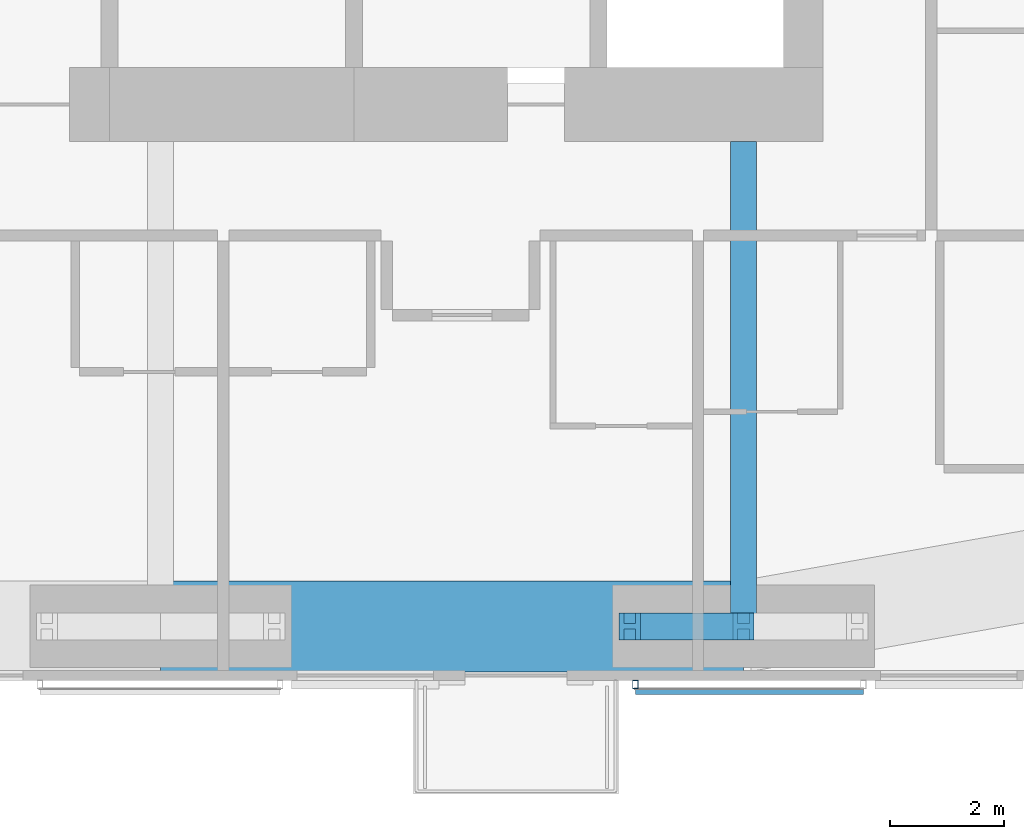
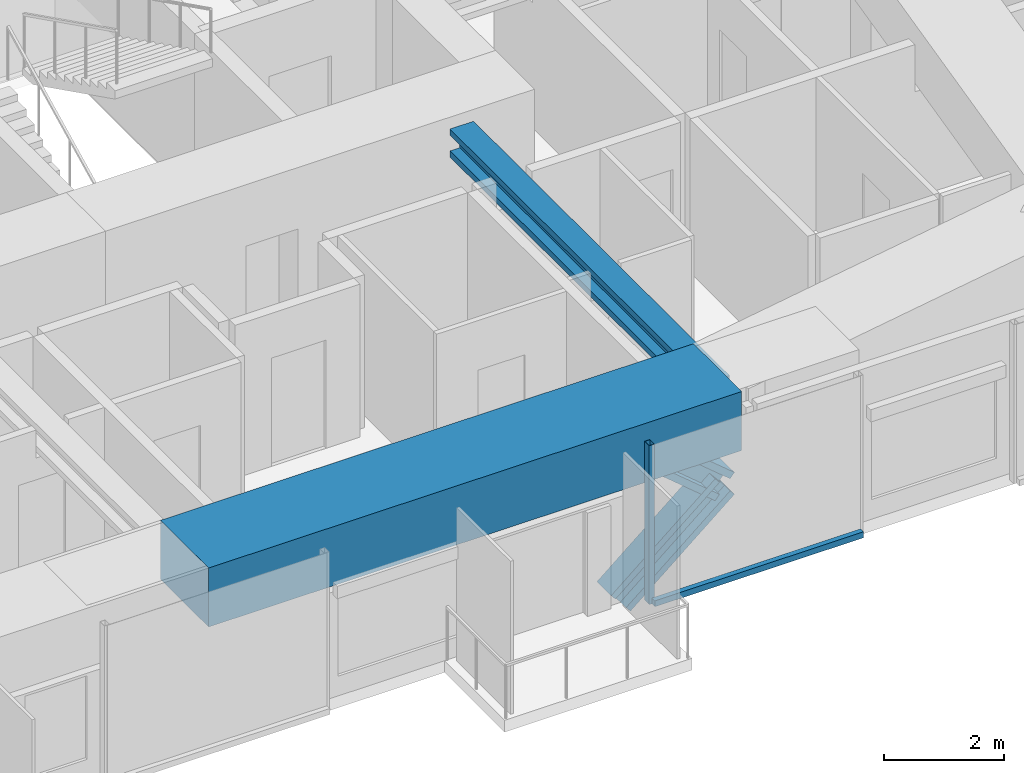
# One storey, part 4 of 23: 4 members, 2 beams, 1 element without a shape of its own.
"""IFC4 building model written with IfcOpenShell, lengths in metres."""

from ifc_helpers import new_model, si_unit, direction, frame, origin, origin_2d, place, context, subcontext, project, spatial, rectangle, hollow_rectangle, i_section, extrude, material, material_profile, profile_set, type_object, element, aggregate, save


model = new_model("IFC4")

# Units and contexts
model_context = context("Model", 3, precision=1e-05, world=origin(), true_north=direction((0.0, 1.0)))
body_context = subcontext(model_context, "Body", "Model", "MODEL_VIEW")
ifc_project = project(units=[si_unit("LENGTHUNIT", "METRE"), si_unit("AREAUNIT", "SQUARE_METRE"), si_unit("VOLUMEUNIT", "CUBIC_METRE"), si_unit("PLANEANGLEUNIT", "RADIAN"), si_unit("MASSUNIT", "GRAM", prefix="KILO")], contexts=[model_context])

# Site, building, storey
site_placement = place(None, origin())
site = spatial("IfcSite", under=ifc_project, at=site_placement, CompositionType="ELEMENT")
building_placement = place(site_placement, origin())
building = spatial("IfcBuilding", under=site, at=building_placement, Name="Jalousie Tower", CompositionType="ELEMENT")
storey_placement = place(building_placement, frame((0.0, 0.0, 164.39990234375)))
storey = spatial("IfcBuildingStorey", under=building, at=storey_placement, Name="L44", CompositionType="ELEMENT", Elevation=164.39990234375)

# Beam
ifc_material_1 = material(Name="Steel ASTM A992 Grade 50", Category="steel")
ifc_material_profile_1 = material_profile(ifc_material_1, i_section(OverallWidth=0.45458984375, OverallDepth=0.569091796875, WebThickness=0.077880859375, FlangeThickness=0.124755859375, at=origin_2d()), Name="W14X730")
ifc_profile_set_1 = profile_set([ifc_material_profile_1], Name="Steel ASTM A992 Grade 50")
beam_type_1 = type_object("IfcBeamType", Name="LEAN COLLECTOR W14X730", PredefinedType="BEAM", material=ifc_profile_set_1)
beam_1_placement = place(storey_placement, frame((42.75, 0.949951171875, 2.82568359375), z_axis=(0.0, 1.0, 0.0), x_axis=(-1.0, 0.0, 0.0)))
element("IfcBeam", 1, at=beam_1_placement, inside=storey, type_object=beam_type_1, Name="Lean collector under L45", PredefinedType="BEAM", context=body_context, shape_type="SweptSolid", body=[
    extrude(i_section(OverallWidth=0.45458984375, OverallDepth=0.569091796875, WebThickness=0.077880859375, FlangeThickness=0.124755859375, at=origin_2d()), origin(), (0.0, 0.0, 1.0), 8.525146484375),
])

# Members
ifc_material_2 = material(Name="Steel ASTM A992 Grade 50", Category="steel")
ifc_material_profile_2 = material_profile(ifc_material_2, i_section(OverallWidth=0.472412109375, OverallDepth=0.5791015625, WebThickness=0.094970703125, FlangeThickness=0.1298828125, at=origin_2d()), Name="W14X808")
ifc_profile_set_2 = profile_set([ifc_material_profile_2], Name="Steel ASTM A992 Grade 50")
member_type_1 = type_object("IfcMemberType", Name="PERIMETER BRACE W14X808", PredefinedType="BRACE", material=ifc_profile_set_2)
member_1_placement = place(storey_placement, frame((40.75, 0.949951171875, -0.599853515625), z_axis=(0.766638753323, 0.0, 0.642078672674), x_axis=(0.0, 1.0, 0.0)))
element("IfcMember", 2, at=member_1_placement, inside=storey, type_object=member_type_1, Name="Perimeter brace 04 L44 part 1", PredefinedType="BRACE", context=body_context, shape_type="SweptSolid", body=[
    extrude(i_section(OverallWidth=0.472412109375, OverallDepth=0.5791015625, WebThickness=0.094970703125, FlangeThickness=0.1298828125, at=origin_2d()), origin(), (0.0, 0.0, 1.0), 2.60888671875),
])
member_2_placement = place(storey_placement, frame((42.75, 0.949951171875, 1.0751953125), z_axis=(-0.766684820047, 0.0, 0.642023665225), x_axis=(0.0, -1.0, 0.0)))
element("IfcMember", 3, at=member_2_placement, inside=storey, type_object=member_type_1, Name="Perimeter brace 04 L44 part 4", PredefinedType="BRACE", context=body_context, shape_type="SweptSolid", body=[
    extrude(i_section(OverallWidth=0.472412109375, OverallDepth=0.5791015625, WebThickness=0.094970703125, FlangeThickness=0.1298828125, at=origin_2d()), origin(), (0.0, 0.0, 1.0), 2.608642578125),
])

# Beam
ifc_material_3 = material(Name="Concrete f'c 40 MPa", Category="concrete")
ifc_material_profile_3 = material_profile(ifc_material_3, rectangle(XDim=1.60009765625, YDim=1.199951171875, at=origin_2d()), Name="RC 1600x1200")
ifc_profile_set_3 = profile_set([ifc_material_profile_3], Name="Concrete f'c 40 MPa")
beam_type_2 = type_object("IfcBeamType", Name="RC BEAM 1600x1200", PredefinedType="BEAM", material=ifc_profile_set_3)
beam_2_placement = place(storey_placement, frame((32.5, 0.949951171875, 2.75), z_axis=(1.0, 0.0, 0.0), x_axis=(0.0, 1.0, 0.0)))
element("IfcBeam", 4, at=beam_2_placement, inside=storey, type_object=beam_type_2, Name="Edge band beam 03-04 under L45", PredefinedType="BEAM", context=body_context, shape_type="SweptSolid", body=[
    extrude(rectangle(XDim=1.60009765625, YDim=1.199951171875, at=origin_2d()), origin(), (0.0, 0.0, 1.0), 10.25),
])

# Curtain wall, members
ifc_material_4 = material(Name="Perforated aluminium sheet", Category="aluminium")
curtain_wall_type = type_object("IfcCurtainWallType", Name="SOLAR SCREEN SS-1", PredefinedType="USERDEFINED", material=ifc_material_4)
curtain_wall_placement = place(storey_placement, origin())
curtain_wall = element("IfcCurtainWall", 5, at=curtain_wall_placement, inside=storey, type_object=curtain_wall_type, Name="Solar screen L44", ObjectType="SOLAR SCREEN SS-1", PredefinedType="USERDEFINED")
ifc_material_5 = material(Name="Steel ASTM A500 Grade C", Category="steel")
ifc_material_profile_4 = material_profile(ifc_material_5, hollow_rectangle(XDim=0.1015625, YDim=0.15234375, WallThickness=0.00634765625, at=origin_2d()), Name="HSS6X4X1/4")
ifc_profile_set_4 = profile_set([ifc_material_profile_4], Name="Steel ASTM A500 Grade C")
member_type_2 = type_object("IfcMemberType", Name="SOLAR SCREEN SS-1 MULLION", PredefinedType="MULLION", material=ifc_profile_set_4)
member_3_placement = place(storey_placement, frame((40.85009765625, -0.0712890625, -0.119873046875), z_axis=(0.0, 0.0, 1.0), x_axis=(1.0, 0.0, 0.0)))
member_3 = element("IfcMember", 6, at=member_3_placement, type_object=member_type_2, Name="SS1 post 1", PredefinedType="MULLION", context=body_context, shape_type="SweptSolid", body=[
    extrude(hollow_rectangle(XDim=0.1015625, YDim=0.15234375, WallThickness=0.00634765625, at=origin_2d()), origin(), (0.0, 0.0, 1.0), 3.22998046875),
])
ifc_material_6 = material(Name="Extruded aluminium screen rail", Category="aluminium")
ifc_material_profile_5 = material_profile(ifc_material_6, rectangle(XDim=0.1015625, YDim=0.1201171875, at=origin_2d()), Name="RAIL 102x120")
ifc_profile_set_5 = profile_set([ifc_material_profile_5], Name="Extruded aluminium screen rail")
member_type_3 = type_object("IfcMemberType", Name="SOLAR SCREEN SS-1 TRANSOM", PredefinedType="USERDEFINED", material=ifc_profile_set_5)
member_4_placement = place(storey_placement, frame((40.85009765625, -0.1982421875, -0.059814453125), z_axis=(1.0, 0.0, 0.0), x_axis=(0.0, 1.0, 0.0)))
member_4 = element("IfcMember", 7, at=member_4_placement, type_object=member_type_3, Name="SS1 rail", ObjectType="TRANSOM", PredefinedType="USERDEFINED", context=body_context, shape_type="SweptSolid", body=[
    extrude(rectangle(XDim=0.1015625, YDim=0.1201171875, at=origin_2d()), origin(), (0.0, 0.0, 1.0), 4.00927734375),
])
aggregate(curtain_wall, [member_3, member_4])

save(model, "model.ifc")
